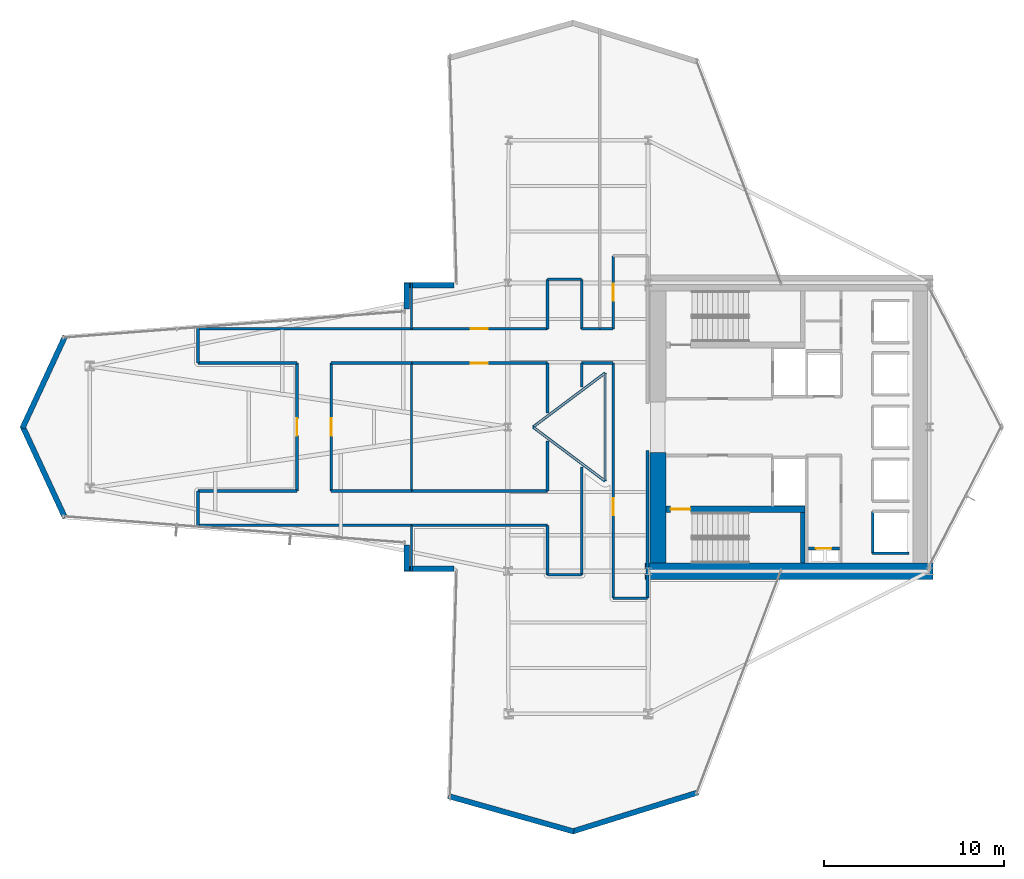
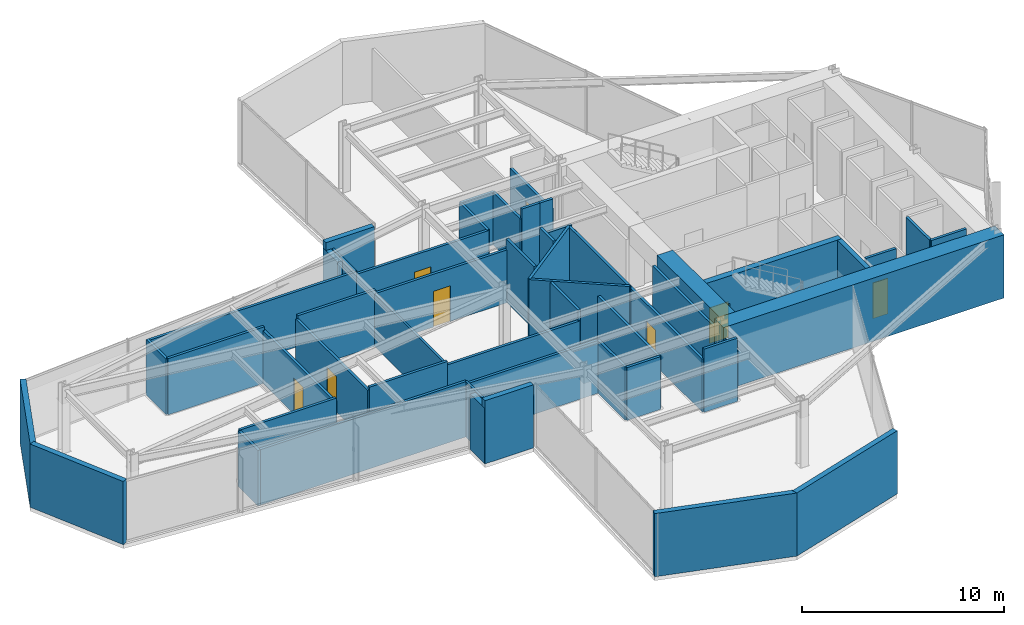
# One storey, part 26 of 30: 51 walls, 8 doors, 8 openings.
"""IFC4 building model written with IfcOpenShell, lengths in metres."""

from ifc_helpers import new_model, si_unit, direction, frame, frame_2d, origin, place, context, subcontext, project, spatial, rectangle, extrude, material, layer, layer_set, type_object, element, fill, save


model = new_model("IFC4")

# Units and contexts
model_context = context("Model", 3, precision=1e-05, world=origin(), true_north=direction((0.0, 1.0)))
body_context = subcontext(model_context, "Body", "Model", "MODEL_VIEW")
ifc_project = project(units=[si_unit("LENGTHUNIT", "METRE"), si_unit("AREAUNIT", "SQUARE_METRE"), si_unit("VOLUMEUNIT", "CUBIC_METRE"), si_unit("PLANEANGLEUNIT", "RADIAN"), si_unit("MASSUNIT", "GRAM", prefix="KILO")], contexts=[model_context])

# Site, building, storey
site_placement = place(None, origin())
site = spatial("IfcSite", under=ifc_project, at=site_placement, CompositionType="ELEMENT")
building_placement = place(site_placement, origin())
building = spatial("IfcBuilding", under=site, at=building_placement, Name="Veymaron Broadcast Tower", CompositionType="ELEMENT")
storey_placement = place(building_placement, frame((0.0, 0.0, 37.800048828125)))
storey = spatial("IfcBuildingStorey", under=building, at=storey_placement, Name="L07", CompositionType="ELEMENT", Elevation=37.800048828125)

# Walls
ifc_material_1 = material(Name="Precast concrete C40/50 with mineral-wool insulation", Category="concrete")
ifc_layer_1 = layer(ifc_material_1, 0.300048828125)
ifc_layer_set_1 = layer_set([ifc_layer_1], Name="Precast concrete C40/50 with mineral-wool insulation")
wall_type_1 = type_object("IfcWallType", Name="WALL-EXT-300", PredefinedType="STANDARD", material=ifc_layer_set_1)
wall_1_placement = place(storey_placement, frame((28.22412109375, 31.860107421875, 0.0), z_axis=(0.0, 0.0, 1.0), x_axis=(-1.0, 0.0, 0.0)))
element("IfcWall", 1, at=wall_1_placement, inside=storey, type_object=wall_type_1, Name="L07 notched corner facade pier 9-1", PredefinedType="STANDARD", context=body_context, shape_type="SweptSolid", body=[
    extrude(rectangle(XDim=2.776123046875, YDim=0.300048828125, at=frame_2d((1.38818359375, 0.0))), origin(), (0.0, 0.0, 1.0), 3.81005859375),
])
wall_2_placement = place(storey_placement, frame((25.587890625, 32.0, 0.0), z_axis=(0.0, 0.0, 1.0), x_axis=(0.0, -1.0, 0.0)))
element("IfcWall", 2, at=wall_2_placement, inside=storey, type_object=wall_type_1, Name="L07 notched corner facade pier 10-1", PredefinedType="STANDARD", context=body_context, shape_type="SweptSolid", body=[
    extrude(rectangle(XDim=1.4482421875, YDim=0.300048828125, at=frame_2d((0.72412109375, 0.0))), origin(), (0.0, 0.0, 1.0), 3.337890625),
])
for number, where, z_axis, x_axis, name in (
    (3, (6.626953125, 29.037109375, 0.0), (0.0, 0.0, 1.0), (-0.420823983626, -0.907142312322, 0.0), "L07 notched corner facade pier 12-1"),
    (4, (4.262939453125, 24.058837890625, 0.0), (0.0, 0.0, 1.0), (0.420823983626, -0.907142312322, 0.0), "L07 notched corner facade pier 13-1"),
):
    element("IfcWall", number, at=place(storey_placement, frame(where, z_axis=z_axis, x_axis=x_axis)), inside=storey, type_object=wall_type_1, Name=name, PredefinedType="STANDARD", context=body_context, shape_type="SweptSolid", body=[
        extrude(rectangle(XDim=5.61767578125, YDim=0.300048828125, at=frame_2d((2.808837890625, 0.0))), origin(), (0.0, 0.0, 1.0), 3.81005859375),
    ])
wall_3_placement = place(storey_placement, frame((25.587890625, 17.4482421875, 0.0), z_axis=(0.0, 0.0, 1.0), x_axis=(0.0, -1.0, 0.0)))
element("IfcWall", 5, at=wall_3_placement, inside=storey, type_object=wall_type_1, Name="L07 notched corner facade pier 15-1", PredefinedType="STANDARD", context=body_context, shape_type="SweptSolid", body=[
    extrude(rectangle(XDim=1.4482421875, YDim=0.300048828125, at=frame_2d((0.72412109375, 0.0))), origin(), (0.0, 0.0, 1.0), 3.337890625),
])
wall_4_placement = place(storey_placement, frame((25.447998046875, 16.139892578125, 0.0), z_axis=(0.0, 0.0, 1.0), x_axis=(1.0, 0.0, 0.0)))
element("IfcWall", 6, at=wall_4_placement, inside=storey, type_object=wall_type_1, Name="L07 notched corner facade pier 16-1", PredefinedType="STANDARD", context=body_context, shape_type="SweptSolid", body=[
    extrude(rectangle(XDim=2.776123046875, YDim=0.300048828125, at=frame_2d((1.38818359375, 0.0))), origin(), (0.0, 0.0, 1.0), 3.81005859375),
])
wall_5_placement = place(storey_placement, frame((27.885498046875, 3.523681640625, 0.0), z_axis=(0.0, 0.0, 1.0), x_axis=(0.962339681863, -0.271849842212, 0.0)))
element("IfcWall", 7, at=wall_5_placement, inside=storey, type_object=wall_type_1, Name="L07 notched corner facade pier 18-1", PredefinedType="STANDARD", context=body_context, shape_type="SweptSolid", body=[
    extrude(rectangle(XDim=7.24658203125, YDim=0.300048828125, at=frame_2d((3.623291015625, 0.0))), origin(), (0.0, 0.0, 1.0), 3.81005859375),
])
wall_6_placement = place(storey_placement, frame((34.779541015625, 1.552734375, 0.0), z_axis=(0.0, 0.0, 1.0), x_axis=(0.954957033511, 0.296744105498, 0.0)))
element("IfcWall", 8, at=wall_6_placement, inside=storey, type_object=wall_type_1, Name="L07 notched corner facade pier 19-1", PredefinedType="STANDARD", context=body_context, shape_type="SweptSolid", body=[
    extrude(rectangle(XDim=7.302490234375, YDim=0.300048828125, at=frame_2d((3.6513671875, 0.0))), origin(), (0.0, 0.0, 1.0), 3.81005859375),
])
ifc_material_2 = material(Name="Gypsum fireboard and steel stud framing", Category="steel")
ifc_layer_2 = layer(ifc_material_2, 0.14990234375)
ifc_layer_set_2 = layer_set([ifc_layer_2], Name="Gypsum fireboard and steel stud framing")
wall_type_2 = type_object("IfcWallType", Name="WALL-FIRE-150", PredefinedType="PARTITIONING", material=ifc_layer_set_2)
wall_7_placement = place(storey_placement, frame((51.445068359375, 16.989990234375, 0.0), z_axis=(0.0, 0.0, 1.0), x_axis=(0.0, 1.0, 0.0)))
element("IfcWall", 9, at=wall_7_placement, inside=storey, type_object=wall_type_2, Name="L07 partition IW-L07-SHW-PH1", PredefinedType="PARTITIONING", context=body_context, shape_type="SweptSolid", body=[
    extrude(rectangle(XDim=2.320068359375, YDim=0.14990234375, at=frame_2d((1.16015625, 0.0))), origin(), (0.0, 0.0, 1.0), 3.81005859375),
])
wall_8_placement = place(storey_placement, frame((51.445068359375, 16.989990234375, 0.0), z_axis=(0.0, 0.0, 1.0), x_axis=(1.0, 0.0, 0.0)))
element("IfcWall", 10, at=wall_8_placement, inside=storey, type_object=wall_type_2, Name="L07 partition IW-L07-SHS-PH1", PredefinedType="PARTITIONING", context=body_context, shape_type="SweptSolid", body=[
    extrude(rectangle(XDim=2.014892578125, YDim=0.14990234375, at=frame_2d((1.00732421875, 0.0))), origin(), (0.0, 0.0, 1.0), 3.81005859375),
])

# Wall, opening, door
wall_9_placement = place(storey_placement, frame((47.8798828125, 17.260009765625, 0.0), z_axis=(0.0, 0.0, 1.0), x_axis=(1.0, 0.0, 0.0)))
wall_9 = element("IfcWall", 11, at=wall_9_placement, inside=storey, type_object=wall_type_2, Name="L07 partition IW-L07-RIS-N", PredefinedType="PARTITIONING", context=body_context, shape_type="SweptSolid", body=[
    extrude(rectangle(XDim=1.72021484375, YDim=0.14990234375, at=frame_2d((0.860107421875, 0.0))), origin(), (0.0, 0.0, 1.0), 3.81005859375),
])
opening_1_placement = place(wall_9_placement, frame((0.419921875, 0.0, 0.0)))
opening_1 = element("IfcOpeningElement", 12, at=opening_1_placement, cuts=wall_9, Name="Opening ID-RS1", PredefinedType="OPENING", context=body_context, shape_type="SweptSolid", body=[
    extrude(rectangle(XDim=0.85009765625, YDim=2.14990234375, at=frame_2d((0.425048828125, 1.074951171875))), frame((0.0, 0.0849609375, 0.0), z_axis=(0.0, -1.0, 0.0), x_axis=(1.0, 0.0, 0.0)), (0.0, 0.0, 1.0), 0.169921875),
])
ifc_material_3 = material(Name="Fire-rated powder-coated steel riser leaf", Category="steel")
door_type_1 = type_object("IfcDoorType", Name="DOOR-RIS-850", OperationType="NOTDEFINED", PredefinedType="TRAPDOOR", material=ifc_material_3)
door_1_placement = place(opening_1_placement, origin())
door_1 = element("IfcDoor", 13, at=door_1_placement, inside=storey, type_object=door_type_1, Name="L07 door DR-L07-RIS", OperationType="SINGLE_SWING_LEFT", OverallHeight=2.14990234375, OverallWidth=0.85009765625, PredefinedType="TRAPDOOR", context=body_context, shape_type="SweptSolid", body=[
    extrude(rectangle(XDim=0.85009765625, YDim=2.14990234375, at=frame_2d((0.425048828125, 1.074951171875))), frame((0.0, 0.02490234375, 0.0), z_axis=(0.0, -1.0, 0.0), x_axis=(1.0, 0.0, 0.0)), (0.0, 0.0, 1.0), 0.050048828125),
])
fill(opening_1, door_1)

wall_10_placement = place(storey_placement, frame((37.050048828125, 14.5, 0.0), z_axis=(0.0, 0.0, 1.0), x_axis=(0.0, 1.0, 0.0)))
wall_10 = element("IfcWall", 14, at=wall_10_placement, inside=storey, type_object=wall_type_2, Name="L07 partition IW-L07-P01", PredefinedType="PARTITIONING", context=body_context, shape_type="SweptSolid", body=[
    extrude(rectangle(XDim=13.050048828125, YDim=0.14990234375, at=frame_2d((6.52490234375, 0.0))), origin(), (0.0, 0.0, 1.0), 3.180908203125),
])
opening_2_placement = place(wall_10_placement, frame((4.610107421875, 0.0, 0.0)))
opening_2 = element("IfcOpeningElement", 15, at=opening_2_placement, cuts=wall_10, Name="Opening ID-RM1", PredefinedType="OPENING", context=body_context, shape_type="SweptSolid", body=[
    extrude(rectangle(XDim=0.949951171875, YDim=2.14990234375, at=frame_2d((0.47509765625, 1.074951171875))), frame((0.0, 0.0849609375, 0.0), z_axis=(0.0, -1.0, 0.0), x_axis=(1.0, 0.0, 0.0)), (0.0, 0.0, 1.0), 0.169921875),
])
ifc_material_4 = material(Name="Acoustic solid-core European oak veneer timber", Category="wood")
door_type_2 = type_object("IfcDoorType", Name="DOOR-INT-950", OperationType="NOTDEFINED", PredefinedType="DOOR", material=ifc_material_4)
door_2_placement = place(opening_2_placement, frame((0.949951171875, 0.0, 0.0), z_axis=(0.0, 0.0, 1.0), x_axis=(-1.0, 0.0, 0.0)))
door_2 = element("IfcDoor", 16, at=door_2_placement, inside=storey, type_object=door_type_2, Name="L07 door DR-L07-P01", OperationType="SINGLE_SWING_RIGHT", OverallHeight=2.14990234375, OverallWidth=0.949951171875, PredefinedType="DOOR", context=body_context, shape_type="SweptSolid", body=[
    extrude(rectangle(XDim=0.949951171875, YDim=2.14990234375, at=frame_2d((0.47509765625, 1.074951171875))), frame((0.0, 0.02490234375, 0.0), z_axis=(0.0, -1.0, 0.0), x_axis=(1.0, 0.0, 0.0)), (0.0, 0.0, 1.0), 0.050048828125),
])
fill(opening_2, door_2)

wall_11_placement = place(storey_placement, frame((19.5, 20.449951171875, 0.0), z_axis=(0.0, 0.0, 1.0), x_axis=(0.0, 1.0, 0.0)))
wall_11 = element("IfcWall", 17, at=wall_11_placement, inside=storey, type_object=wall_type_2, Name="L07 partition IW-L07-P12", PredefinedType="PARTITIONING", context=body_context, shape_type="SweptSolid", body=[
    extrude(rectangle(XDim=7.10009765625, YDim=0.14990234375, at=frame_2d((3.550048828125, 0.0))), origin(), (0.0, 0.0, 1.0), 3.180908203125),
])
opening_3_placement = place(wall_11_placement, frame((3.074951171875, 0.0, 0.0)))
opening_3 = element("IfcOpeningElement", 18, at=opening_3_placement, cuts=wall_11, Name="Opening ID-RM1", PredefinedType="OPENING", context=body_context, shape_type="SweptSolid", body=[
    extrude(rectangle(XDim=0.949951171875, YDim=2.14990234375, at=frame_2d((0.47509765625, 1.074951171875))), frame((0.0, 0.0849609375, 0.0), z_axis=(0.0, -1.0, 0.0), x_axis=(1.0, 0.0, 0.0)), (0.0, 0.0, 1.0), 0.169921875),
])
door_3_placement = place(opening_3_placement, origin())
door_3 = element("IfcDoor", 19, at=door_3_placement, inside=storey, type_object=door_type_2, Name="L07 door DR-L07-P12", OperationType="SINGLE_SWING_LEFT", OverallHeight=2.14990234375, OverallWidth=0.949951171875, PredefinedType="DOOR", context=body_context, shape_type="SweptSolid", body=[
    extrude(rectangle(XDim=0.949951171875, YDim=2.14990234375, at=frame_2d((0.47509765625, 1.074951171875))), frame((0.0, 0.02490234375, 0.0), z_axis=(0.0, -1.0, 0.0), x_axis=(1.0, 0.0, 0.0)), (0.0, 0.0, 1.0), 0.050048828125),
])
fill(opening_3, door_3)

wall_12_placement = place(storey_placement, frame((21.39990234375, 20.449951171875, 0.0), z_axis=(0.0, 0.0, 1.0), x_axis=(0.0, 1.0, 0.0)))
wall_12 = element("IfcWall", 20, at=wall_12_placement, inside=storey, type_object=wall_type_2, Name="L07 partition IW-L07-P17", PredefinedType="PARTITIONING", context=body_context, shape_type="SweptSolid", body=[
    extrude(rectangle(XDim=7.10009765625, YDim=0.14990234375, at=frame_2d((3.550048828125, 0.0))), origin(), (0.0, 0.0, 1.0), 3.180908203125),
])
opening_4_placement = place(wall_12_placement, frame((3.074951171875, 0.0, 0.0)))
opening_4 = element("IfcOpeningElement", 21, at=opening_4_placement, cuts=wall_12, Name="Opening ID-RM1", PredefinedType="OPENING", context=body_context, shape_type="SweptSolid", body=[
    extrude(rectangle(XDim=0.949951171875, YDim=2.14990234375, at=frame_2d((0.47509765625, 1.074951171875))), frame((0.0, 0.0849609375, 0.0), z_axis=(0.0, -1.0, 0.0), x_axis=(1.0, 0.0, 0.0)), (0.0, 0.0, 1.0), 0.169921875),
])
door_4_placement = place(opening_4_placement, frame((0.949951171875, 0.0, 0.0), z_axis=(0.0, 0.0, 1.0), x_axis=(-1.0, 0.0, 0.0)))
door_4 = element("IfcDoor", 22, at=door_4_placement, inside=storey, type_object=door_type_2, Name="L07 door DR-L07-P17", OperationType="SINGLE_SWING_RIGHT", OverallHeight=2.14990234375, OverallWidth=0.949951171875, PredefinedType="DOOR", context=body_context, shape_type="SweptSolid", body=[
    extrude(rectangle(XDim=0.949951171875, YDim=2.14990234375, at=frame_2d((0.47509765625, 1.074951171875))), frame((0.0, 0.02490234375, 0.0), z_axis=(0.0, -1.0, 0.0), x_axis=(1.0, 0.0, 0.0)), (0.0, 0.0, 1.0), 0.050048828125),
])
fill(opening_4, door_4)

wall_13_placement = place(storey_placement, frame((25.84912109375, 27.550048828125, 0.0), z_axis=(0.0, 0.0, 1.0), x_axis=(1.0, 0.0, 0.0)))
wall_13 = element("IfcWall", 23, at=wall_13_placement, inside=storey, type_object=wall_type_2, Name="L07 partition IW-L07-P20", PredefinedType="PARTITIONING", context=body_context, shape_type="SweptSolid", body=[
    extrude(rectangle(XDim=7.55078125, YDim=0.14990234375, at=frame_2d((3.775390625, 0.0))), origin(), (0.0, 0.0, 1.0), 3.180908203125),
])
opening_5_placement = place(wall_13_placement, frame((3.300537109375, 0.0, 0.0)))
opening_5 = element("IfcOpeningElement", 24, at=opening_5_placement, cuts=wall_13, Name="Opening ID-RM1", PredefinedType="OPENING", context=body_context, shape_type="SweptSolid", body=[
    extrude(rectangle(XDim=0.949951171875, YDim=2.14990234375, at=frame_2d((0.47509765625, 1.074951171875))), frame((0.0, 0.0849609375, 0.0), z_axis=(0.0, -1.0, 0.0), x_axis=(1.0, 0.0, 0.0)), (0.0, 0.0, 1.0), 0.169921875),
])
door_5_placement = place(opening_5_placement, frame((0.949951171875, 0.0, 0.0), z_axis=(0.0, 0.0, 1.0), x_axis=(-1.0, 0.0, 0.0)))
door_5 = element("IfcDoor", 25, at=door_5_placement, inside=storey, type_object=door_type_2, Name="L07 door DR-L07-P20", OperationType="SINGLE_SWING_LEFT", OverallHeight=2.14990234375, OverallWidth=0.949951171875, PredefinedType="DOOR", context=body_context, shape_type="SweptSolid", body=[
    extrude(rectangle(XDim=0.949951171875, YDim=2.14990234375, at=frame_2d((0.47509765625, 1.074951171875))), frame((0.0, 0.02490234375, 0.0), z_axis=(0.0, -1.0, 0.0), x_axis=(1.0, 0.0, 0.0)), (0.0, 0.0, 1.0), 0.050048828125),
])
fill(opening_5, door_5)

wall_14_placement = place(storey_placement, frame((25.84912109375, 29.449951171875, 0.0), z_axis=(0.0, 0.0, 1.0), x_axis=(1.0, 0.0, 0.0)))
wall_14 = element("IfcWall", 26, at=wall_14_placement, inside=storey, type_object=wall_type_2, Name="L07 partition IW-L07-P24", PredefinedType="PARTITIONING", context=body_context, shape_type="SweptSolid", body=[
    extrude(rectangle(XDim=7.55078125, YDim=0.14990234375, at=frame_2d((3.775390625, 0.0))), origin(), (0.0, 0.0, 1.0), 3.180908203125),
])
opening_6_placement = place(wall_14_placement, frame((3.300537109375, 0.0, 0.0)))
opening_6 = element("IfcOpeningElement", 27, at=opening_6_placement, cuts=wall_14, Name="Opening ID-RM1", PredefinedType="OPENING", context=body_context, shape_type="SweptSolid", body=[
    extrude(rectangle(XDim=0.949951171875, YDim=2.14990234375, at=frame_2d((0.47509765625, 1.074951171875))), frame((0.0, 0.0849609375, 0.0), z_axis=(0.0, -1.0, 0.0), x_axis=(1.0, 0.0, 0.0)), (0.0, 0.0, 1.0), 0.169921875),
])
door_6_placement = place(opening_6_placement, origin())
door_6 = element("IfcDoor", 28, at=door_6_placement, inside=storey, type_object=door_type_2, Name="L07 door DR-L07-P24", OperationType="SINGLE_SWING_LEFT", OverallHeight=2.14990234375, OverallWidth=0.949951171875, PredefinedType="DOOR", context=body_context, shape_type="SweptSolid", body=[
    extrude(rectangle(XDim=0.949951171875, YDim=2.14990234375, at=frame_2d((0.47509765625, 1.074951171875))), frame((0.0, 0.02490234375, 0.0), z_axis=(0.0, -1.0, 0.0), x_axis=(1.0, 0.0, 0.0)), (0.0, 0.0, 1.0), 0.050048828125),
])
fill(opening_6, door_6)

wall_15_placement = place(storey_placement, frame((37.050048828125, 29.449951171875, 0.0), z_axis=(0.0, 0.0, 1.0), x_axis=(0.0, 1.0, 0.0)))
wall_15 = element("IfcWall", 29, at=wall_15_placement, inside=storey, type_object=wall_type_2, Name="L07 partition IW-L07-P30", PredefinedType="PARTITIONING", context=body_context, shape_type="SweptSolid", body=[
    extrude(rectangle(XDim=4.050048828125, YDim=0.14990234375, at=frame_2d((2.02490234375, 0.0))), origin(), (0.0, 0.0, 1.0), 3.180908203125),
])
opening_7_placement = place(wall_15_placement, frame((1.550048828125, 0.0, 0.0)))
opening_7 = element("IfcOpeningElement", 30, at=opening_7_placement, cuts=wall_15, Name="Opening ID-RM1", PredefinedType="OPENING", context=body_context, shape_type="SweptSolid", body=[
    extrude(rectangle(XDim=0.949951171875, YDim=2.14990234375, at=frame_2d((0.47509765625, 1.074951171875))), frame((0.0, 0.0849609375, 0.0), z_axis=(0.0, -1.0, 0.0), x_axis=(1.0, 0.0, 0.0)), (0.0, 0.0, 1.0), 0.169921875),
])
door_7_placement = place(opening_7_placement, origin())
door_7 = element("IfcDoor", 31, at=door_7_placement, inside=storey, type_object=door_type_2, Name="L07 door DR-L07-P30", OperationType="SINGLE_SWING_LEFT", OverallHeight=2.14990234375, OverallWidth=0.949951171875, PredefinedType="DOOR", context=body_context, shape_type="SweptSolid", body=[
    extrude(rectangle(XDim=0.949951171875, YDim=2.14990234375, at=frame_2d((0.47509765625, 1.074951171875))), frame((0.0, 0.02490234375, 0.0), z_axis=(0.0, -1.0, 0.0), x_axis=(1.0, 0.0, 0.0)), (0.0, 0.0, 1.0), 0.050048828125),
])
fill(opening_7, door_7)

# Walls
wall_16_placement = place(storey_placement, frame((38.949951171875, 14.5, 0.0), z_axis=(0.0, 0.0, 1.0), x_axis=(0.0, 1.0, 0.0)))
element("IfcWall", 32, at=wall_16_placement, inside=storey, type_object=wall_type_2, Name="L07 partition IW-L07-P02", PredefinedType="PARTITIONING", context=body_context, shape_type="SweptSolid", body=[
    extrude(rectangle(XDim=8.199951171875, YDim=0.14990234375, at=frame_2d((4.10009765625, 0.0))), origin(), (0.0, 0.0, 1.0), 3.180908203125),
])
wall_17_placement = place(storey_placement, frame((25.84912109375, 18.550048828125, 0.0), z_axis=(0.0, 0.0, 1.0), x_axis=(1.0, 0.0, 0.0)))
element("IfcWall", 33, at=wall_17_placement, inside=storey, type_object=wall_type_2, Name="L07 partition IW-L07-P03", PredefinedType="PARTITIONING", context=body_context, shape_type="SweptSolid", body=[
    extrude(rectangle(XDim=7.55078125, YDim=0.14990234375, at=frame_2d((3.775390625, 0.0))), origin(), (0.0, 0.0, 1.0), 3.180908203125),
])
wall_18_placement = place(storey_placement, frame((35.300048828125, 15.800048828125, 0.0), z_axis=(0.0, 0.0, 1.0), x_axis=(0.0, 1.0, 0.0)))
element("IfcWall", 34, at=wall_18_placement, inside=storey, type_object=wall_type_2, Name="L07 partition IW-L07-P04", PredefinedType="PARTITIONING", context=body_context, shape_type="SweptSolid", body=[
    extrude(rectangle(XDim=5.987548828125, YDim=0.14990234375, at=frame_2d((2.99365234375, 0.0))), origin(), (0.0, 0.0, 1.0), 3.180908203125),
])
wall_19_placement = place(storey_placement, frame((33.39990234375, 15.800048828125, 0.0), z_axis=(0.0, 0.0, 1.0), x_axis=(0.0, 1.0, 0.0)))
element("IfcWall", 35, at=wall_19_placement, inside=storey, type_object=wall_type_2, Name="L07 partition IW-L07-P05", PredefinedType="PARTITIONING", context=body_context, shape_type="SweptSolid", body=[
    extrude(rectangle(XDim=2.75, YDim=0.14990234375, at=frame_2d((1.375, 0.0))), origin(), (0.0, 0.0, 1.0), 3.180908203125),
])
wall_20_placement = place(storey_placement, frame((37.050048828125, 14.5, 0.0), z_axis=(0.0, 0.0, 1.0), x_axis=(1.0, 0.0, 0.0)))
element("IfcWall", 36, at=wall_20_placement, inside=storey, type_object=wall_type_2, Name="L07 partition IW-L07-P06", PredefinedType="PARTITIONING", context=body_context, shape_type="SweptSolid", body=[
    extrude(rectangle(XDim=1.89990234375, YDim=0.14990234375, at=frame_2d((0.949951171875, 0.0))), origin(), (0.0, 0.0, 1.0), 3.81005859375),
])
wall_21_placement = place(storey_placement, frame((33.39990234375, 15.800048828125, 0.0), z_axis=(0.0, 0.0, 1.0), x_axis=(1.0, 0.0, 0.0)))
element("IfcWall", 37, at=wall_21_placement, inside=storey, type_object=wall_type_2, Name="L07 partition IW-L07-P07", PredefinedType="PARTITIONING", context=body_context, shape_type="SweptSolid", body=[
    extrude(rectangle(XDim=1.900146484375, YDim=0.14990234375, at=frame_2d((0.9501953125, 0.0))), origin(), (0.0, 0.0, 1.0), 3.180908203125),
])
wall_22_placement = place(storey_placement, frame((35.300048828125, 27.550048828125, 0.0), z_axis=(0.0, 0.0, 1.0), x_axis=(1.0, 0.0, 0.0)))
element("IfcWall", 38, at=wall_22_placement, inside=storey, type_object=wall_type_2, Name="L07 partition IW-L07-P08", PredefinedType="PARTITIONING", context=body_context, shape_type="SweptSolid", body=[
    extrude(rectangle(XDim=1.75, YDim=0.14990234375, at=frame_2d((0.875, 0.0))), origin(), (0.0, 0.0, 1.0), 3.390869140625),
])
wall_23_placement = place(storey_placement, frame((35.300048828125, 26.21240234375, 0.0), z_axis=(0.0, 0.0, 1.0), x_axis=(0.0, 1.0, 0.0)))
element("IfcWall", 39, at=wall_23_placement, inside=storey, type_object=wall_type_2, Name="L07 partition IW-L07-P09", PredefinedType="PARTITIONING", context=body_context, shape_type="SweptSolid", body=[
    extrude(rectangle(XDim=1.337646484375, YDim=0.14990234375, at=frame_2d((0.6689453125, 0.0))), origin(), (0.0, 0.0, 1.0), 3.81005859375),
])
for number, where, z_axis, x_axis, name in (
    (40, (14.0, 18.550048828125, 0.0), (0.0, 0.0, 1.0), (1.0, 0.0, 0.0), "L07 partition IW-L07-P10"),
    (41, (14.0, 29.449951171875, 0.0), (0.0, 0.0, 1.0), (1.0, 0.0, 0.0), "L07 partition IW-L07-P11"),
):
    element("IfcWall", number, at=place(storey_placement, frame(where, z_axis=z_axis, x_axis=x_axis)), inside=storey, type_object=wall_type_2, Name=name, PredefinedType="PARTITIONING", context=body_context, shape_type="SweptSolid", body=[
        extrude(rectangle(XDim=11.84912109375, YDim=0.14990234375, at=frame_2d((5.924560546875, 0.0))), origin(), (0.0, 0.0, 1.0), 3.337890625),
    ])
for number, where, z_axis, x_axis, name in (
    (42, (14.0, 20.449951171875, 0.0), (0.0, 0.0, 1.0), (1.0, 0.0, 0.0), "L07 partition IW-L07-P13"),
    (43, (14.0, 27.550048828125, 0.0), (0.0, 0.0, 1.0), (1.0, 0.0, 0.0), "L07 partition IW-L07-P14"),
):
    element("IfcWall", number, at=place(storey_placement, frame(where, z_axis=z_axis, x_axis=x_axis)), inside=storey, type_object=wall_type_2, Name=name, PredefinedType="PARTITIONING", context=body_context, shape_type="SweptSolid", body=[
        extrude(rectangle(XDim=5.5, YDim=0.14990234375, at=frame_2d((2.75, 0.0))), origin(), (0.0, 0.0, 1.0), 3.390869140625),
    ])
for number, where, z_axis, x_axis, name in (
    (44, (14.0, 18.4677734375, 0.0), (0.0, 0.0, 1.0), (0.0, 1.0, 0.0), "L07 partition IW-L07-P15"),
    (45, (14.0, 27.550048828125, 0.0), (0.0, 0.0, 1.0), (0.0, 1.0, 0.0), "L07 partition IW-L07-P16"),
):
    element("IfcWall", number, at=place(storey_placement, frame(where, z_axis=z_axis, x_axis=x_axis)), inside=storey, type_object=wall_type_2, Name=name, PredefinedType="PARTITIONING", context=body_context, shape_type="SweptSolid", body=[
        extrude(rectangle(XDim=1.982177734375, YDim=0.14990234375, at=frame_2d((0.9912109375, 0.0))), origin(), (0.0, 0.0, 1.0), 3.337890625),
    ])
for number, where, z_axis, x_axis, name in (
    (46, (21.39990234375, 27.550048828125, 0.0), (0.0, 0.0, 1.0), (1.0, 0.0, 0.0), "L07 partition IW-L07-P18"),
    (47, (21.39990234375, 20.449951171875, 0.0), (0.0, 0.0, 1.0), (1.0, 0.0, 0.0), "L07 partition IW-L07-P19"),
):
    element("IfcWall", number, at=place(storey_placement, frame(where, z_axis=z_axis, x_axis=x_axis)), inside=storey, type_object=wall_type_2, Name=name, PredefinedType="PARTITIONING", context=body_context, shape_type="SweptSolid", body=[
        extrude(rectangle(XDim=4.44921875, YDim=0.14990234375, at=frame_2d((2.224609375, 0.0))), origin(), (0.0, 0.0, 1.0), 3.390869140625),
    ])
wall_24_placement = place(storey_placement, frame((25.84912109375, 20.449951171875, 0.0), z_axis=(0.0, 0.0, 1.0), x_axis=(1.0, 0.0, 0.0)))
element("IfcWall", 48, at=wall_24_placement, inside=storey, type_object=wall_type_2, Name="L07 partition IW-L07-P21", PredefinedType="PARTITIONING", context=body_context, shape_type="SweptSolid", body=[
    extrude(rectangle(XDim=7.55078125, YDim=0.14990234375, at=frame_2d((3.775390625, 0.0))), origin(), (0.0, 0.0, 1.0), 3.180908203125),
])
for number, where, z_axis, x_axis, name in (
    (49, (33.39990234375, 24.78759765625, 0.0), (0.0, 0.0, 1.0), (0.0, 1.0, 0.0), "L07 partition IW-L07-P22"),
    (50, (33.39990234375, 20.449951171875, 0.0), (0.0, 0.0, 1.0), (0.0, 1.0, 0.0), "L07 partition IW-L07-P23"),
):
    element("IfcWall", number, at=place(storey_placement, frame(where, z_axis=z_axis, x_axis=x_axis)), inside=storey, type_object=wall_type_2, Name=name, PredefinedType="PARTITIONING", context=body_context, shape_type="SweptSolid", body=[
        extrude(rectangle(XDim=2.762451171875, YDim=0.14990234375, at=frame_2d((1.38134765625, 0.0))), origin(), (0.0, 0.0, 1.0), 3.81005859375),
    ])
for number, where, z_axis, x_axis, name in (
    (51, (33.39990234375, 29.449951171875, 0.0), (0.0, 0.0, 1.0), (0.0, 1.0, 0.0), "L07 partition IW-L07-P25"),
    (52, (35.300048828125, 29.449951171875, 0.0), (0.0, 0.0, 1.0), (0.0, 1.0, 0.0), "L07 partition IW-L07-P26"),
):
    element("IfcWall", number, at=place(storey_placement, frame(where, z_axis=z_axis, x_axis=x_axis)), inside=storey, type_object=wall_type_2, Name=name, PredefinedType="PARTITIONING", context=body_context, shape_type="SweptSolid", body=[
        extrude(rectangle(XDim=2.75, YDim=0.14990234375, at=frame_2d((1.375, 0.0))), origin(), (0.0, 0.0, 1.0), 3.180908203125),
    ])
wall_25_placement = place(storey_placement, frame((33.39990234375, 32.199951171875, 0.0), z_axis=(0.0, 0.0, 1.0), x_axis=(1.0, 0.0, 0.0)))
element("IfcWall", 53, at=wall_25_placement, inside=storey, type_object=wall_type_2, Name="L07 partition IW-L07-P27", PredefinedType="PARTITIONING", context=body_context, shape_type="SweptSolid", body=[
    extrude(rectangle(XDim=1.900146484375, YDim=0.14990234375, at=frame_2d((0.9501953125, 0.0))), origin(), (0.0, 0.0, 1.0), 3.180908203125),
])
wall_26_placement = place(storey_placement, frame((35.300048828125, 29.449951171875, 0.0), z_axis=(0.0, 0.0, 1.0), x_axis=(1.0, 0.0, 0.0)))
element("IfcWall", 54, at=wall_26_placement, inside=storey, type_object=wall_type_2, Name="L07 partition IW-L07-P28", PredefinedType="PARTITIONING", context=body_context, shape_type="SweptSolid", body=[
    extrude(rectangle(XDim=1.00390625, YDim=0.14990234375, at=frame_2d((0.501953125, 0.0))), origin(), (0.0, 0.0, 1.0), 3.81005859375),
])
wall_27_placement = place(storey_placement, frame((36.303955078125, 29.449951171875, 0.0), z_axis=(0.0, 0.0, 1.0), x_axis=(1.0, 0.0, 0.0)))
element("IfcWall", 55, at=wall_27_placement, inside=storey, type_object=wall_type_2, Name="L07 partition IW-L07-P32", PredefinedType="PARTITIONING", context=body_context, shape_type="SweptSolid", body=[
    extrude(rectangle(XDim=0.74609375, YDim=0.14990234375, at=frame_2d((0.373046875, 0.0))), origin(), (0.0, 0.0, 1.0), 3.81005859375),
])
ifc_material_5 = material(Name="Fire-rated laminated glass in aluminium frame", Category="aluminium")
ifc_layer_3 = layer(ifc_material_5, 0.14990234375)
ifc_layer_set_3 = layer_set([ifc_layer_3], Name="Fire-rated laminated glass in aluminium frame")
wall_type_3 = type_object("IfcWallType", Name="WALL-GLZ-150", PredefinedType="MOVABLE", material=ifc_layer_set_3)
wall_28_placement = place(storey_placement, frame((32.60009765625, 24.0, 0.0), z_axis=(0.0, 0.0, 1.0), x_axis=(0.8, -0.6, 0.0)))
element("IfcWall", 56, at=wall_28_placement, inside=storey, type_object=wall_type_3, Name="L07 partition IW-L07-ATR1", PredefinedType="MOVABLE", context=body_context, shape_type="SweptSolid", body=[
    extrude(rectangle(XDim=5.0, YDim=0.14990234375, at=frame_2d((2.5, 0.0))), origin(), (0.0, 0.0, 1.0), 3.81005859375),
])
wall_29_placement = place(storey_placement, frame((36.60009765625, 21.0, 0.0), z_axis=(0.0, 0.0, 1.0), x_axis=(0.0, 1.0, 0.0)))
element("IfcWall", 57, at=wall_29_placement, inside=storey, type_object=wall_type_3, Name="L07 partition IW-L07-ATR2", PredefinedType="MOVABLE", context=body_context, shape_type="SweptSolid", body=[
    extrude(rectangle(XDim=6.0, YDim=0.14990234375, at=frame_2d((3.0, 0.0))), origin(), (0.0, 0.0, 1.0), 3.81005859375),
])
wall_30_placement = place(storey_placement, frame((36.60009765625, 27.0, 0.0), z_axis=(0.0, 0.0, 1.0), x_axis=(-0.8, -0.6, 0.0)))
element("IfcWall", 58, at=wall_30_placement, inside=storey, type_object=wall_type_3, Name="L07 partition IW-L07-ATR3", PredefinedType="MOVABLE", context=body_context, shape_type="SweptSolid", body=[
    extrude(rectangle(XDim=5.0, YDim=0.14990234375, at=frame_2d((2.5, 0.0))), origin(), (0.0, 0.0, 1.0), 3.81005859375),
])
ifc_material_6 = material(Name="Acoustic gypsum board and galvanized stud", Category="gypsum")
ifc_layer_4 = layer(ifc_material_6, 0.1201171875)
ifc_layer_set_4 = layer_set([ifc_layer_4], Name="Acoustic gypsum board and galvanized stud")
wall_type_4 = type_object("IfcWallType", Name="WALL-PART-120", PredefinedType="PARTITIONING", material=ifc_layer_set_4)
for number, where, z_axis, x_axis, name in (
    (59, (25.84912109375, 16.0, 0.0), (0.0, 0.0, 1.0), (0.0, 1.0, 0.0), "L07 partition IW-L07-P33"),
    (60, (25.84912109375, 29.449951171875, 0.0), (0.0, 0.0, 1.0), (0.0, 1.0, 0.0), "L07 partition IW-L07-P34"),
):
    element("IfcWall", number, at=place(storey_placement, frame(where, z_axis=z_axis, x_axis=x_axis)), inside=storey, type_object=wall_type_4, Name=name, PredefinedType="PARTITIONING", context=body_context, shape_type="SweptSolid", body=[
        extrude(rectangle(XDim=2.550048828125, YDim=0.1201171875, at=frame_2d((1.27490234375, 0.0))), origin(), (0.0, 0.0, 1.0), 3.337890625),
    ])
wall_31_placement = place(storey_placement, frame((25.84912109375, 20.449951171875, 0.0), z_axis=(0.0, 0.0, 1.0), x_axis=(0.0, 1.0, 0.0)))
element("IfcWall", 61, at=wall_31_placement, inside=storey, type_object=wall_type_4, Name="L07 partition IW-L07-P35", PredefinedType="PARTITIONING", context=body_context, shape_type="SweptSolid", body=[
    extrude(rectangle(XDim=7.10009765625, YDim=0.1201171875, at=frame_2d((3.550048828125, 0.0))), origin(), (0.0, 0.0, 1.0), 3.180908203125),
])
ifc_material_7 = material(Name="Concrete C50/60", Category="concrete")
ifc_layer_5 = layer(ifc_material_7, 0.25)
ifc_layer_set_5 = layer_set([ifc_layer_5], Name="Concrete C50/60")
wall_type_5 = type_object("IfcWallType", Name="WALL-SHEAR-250", PredefinedType="SHEAR", material=ifc_layer_set_5)
wall_32_placement = place(storey_placement, frame((47.56494140625, 16.449951171875, 0.0), z_axis=(0.0, 0.0, 1.0), x_axis=(0.0, 1.0, 0.0)))
element("IfcWall", 62, at=wall_32_placement, inside=storey, type_object=wall_type_5, Name="L07 Core Wall south stair east shear", PredefinedType="SHEAR", context=body_context, shape_type="SweptSolid", body=[
    extrude(rectangle(XDim=2.820068359375, YDim=0.25, at=frame_2d((1.41015625, 0.0))), origin(), (0.0, 0.0, 1.0), 3.81005859375),
])

# Wall, opening, door
ifc_layer_6 = layer(ifc_material_7, 0.35009765625)
ifc_layer_set_6 = layer_set([ifc_layer_6], Name="Concrete C50/60")
wall_type_6 = type_object("IfcWallType", Name="WALL-SHEAR-350", PredefinedType="SHEAR", material=ifc_layer_set_6)
wall_33_placement = place(storey_placement, frame((39.97998046875, 19.445068359375, 0.0), z_axis=(0.0, 0.0, 1.0), x_axis=(1.0, 0.0, 0.0)))
wall_33 = element("IfcWall", 63, at=wall_33_placement, inside=storey, type_object=wall_type_6, Name="L07 Core Wall south stair spine", PredefinedType="SHEAR", context=body_context, shape_type="SweptSolid", body=[
    extrude(rectangle(XDim=7.7099609375, YDim=0.35009765625, at=frame_2d((3.85498046875, 0.0))), origin(), (0.0, 0.0, 1.0), 3.81005859375),
])
opening_8_placement = place(wall_33_placement, frame((0.25, 0.0, 0.0)))
opening_8 = element("IfcOpeningElement", 64, at=opening_8_placement, cuts=wall_33, Name="Opening ID-ST1", PredefinedType="OPENING", context=body_context, shape_type="SweptSolid", body=[
    extrude(rectangle(XDim=1.10009765625, YDim=2.14990234375, at=frame_2d((0.550048828125, 1.074951171875))), frame((0.0, 0.18505859375, 0.0), z_axis=(0.0, -1.0, 0.0), x_axis=(1.0, 0.0, 0.0)), (0.0, 0.0, 1.0), 0.3701171875),
])
ifc_material_8 = material(Name="Fire-rated painted hollow steel ASTM A653", Category="steel")
door_type_3 = type_object("IfcDoorType", Name="DOOR-STAIR-1100", OperationType="NOTDEFINED", PredefinedType="DOOR", material=ifc_material_8)
door_8_placement = place(opening_8_placement, frame((1.10009765625, 0.0, 0.0), z_axis=(0.0, 0.0, 1.0), x_axis=(-1.0, 0.0, 0.0)))
door_8 = element("IfcDoor", 65, at=door_8_placement, inside=storey, type_object=door_type_3, Name="L07 exit stair ST2 fire door", OperationType="SINGLE_SWING_LEFT", OverallHeight=2.14990234375, OverallWidth=1.10009765625, PredefinedType="DOOR", context=body_context, shape_type="SweptSolid", body=[
    extrude(rectangle(XDim=1.10009765625, YDim=2.14990234375, at=frame_2d((0.550048828125, 1.074951171875))), frame((0.0, 0.02490234375, 0.0), z_axis=(0.0, -1.0, 0.0), x_axis=(1.0, 0.0, 0.0)), (0.0, 0.0, 1.0), 0.050048828125),
])
fill(opening_8, door_8)

# Walls
ifc_material_9 = material(Name="Concrete C70/85", Category="concrete")
ifc_layer_7 = layer(ifc_material_9, 0.89990234375)
ifc_layer_set_7 = layer_set([ifc_layer_7], Name="Concrete C70/85")
wall_type_7 = type_object("IfcWallType", Name="WALL-SHEAR-900", PredefinedType="SHEAR", material=ifc_layer_set_7)
wall_34_placement = place(storey_placement, frame((38.800048828125, 16.0, 0.0), z_axis=(0.0, 0.0, 1.0), x_axis=(1.0, 0.0, 0.0)))
element("IfcWall", 66, at=wall_34_placement, inside=storey, type_object=wall_type_7, Name="L07 Core Wall south shear", PredefinedType="SHEAR", context=body_context, shape_type="SweptSolid", body=[
    extrude(rectangle(XDim=16.0, YDim=0.89990234375, at=frame_2d((8.0, 0.0))), origin(), (0.0, 0.0, 1.0), 3.81005859375),
])
wall_35_placement = place(storey_placement, frame((39.530029296875, 16.449951171875, 0.0), z_axis=(0.0, 0.0, 1.0), x_axis=(0.0, 1.0, 0.0)))
element("IfcWall", 67, at=wall_35_placement, inside=storey, type_object=wall_type_7, Name="L07 Core Wall west-south shear", PredefinedType="SHEAR", context=body_context, shape_type="SweptSolid", body=[
    extrude(rectangle(XDim=6.150146484375, YDim=0.89990234375, at=frame_2d((3.0751953125, 0.0))), origin(), (0.0, 0.0, 1.0), 3.81005859375),
])

save(model, "model.ifc")
